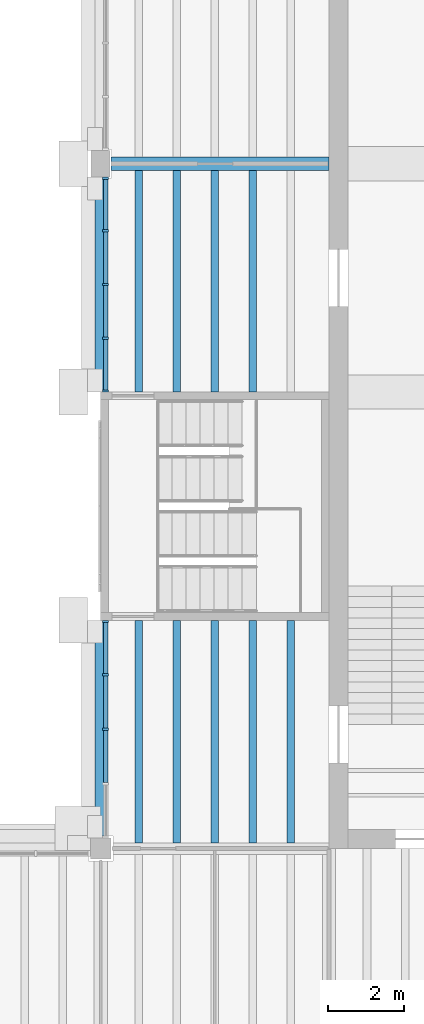
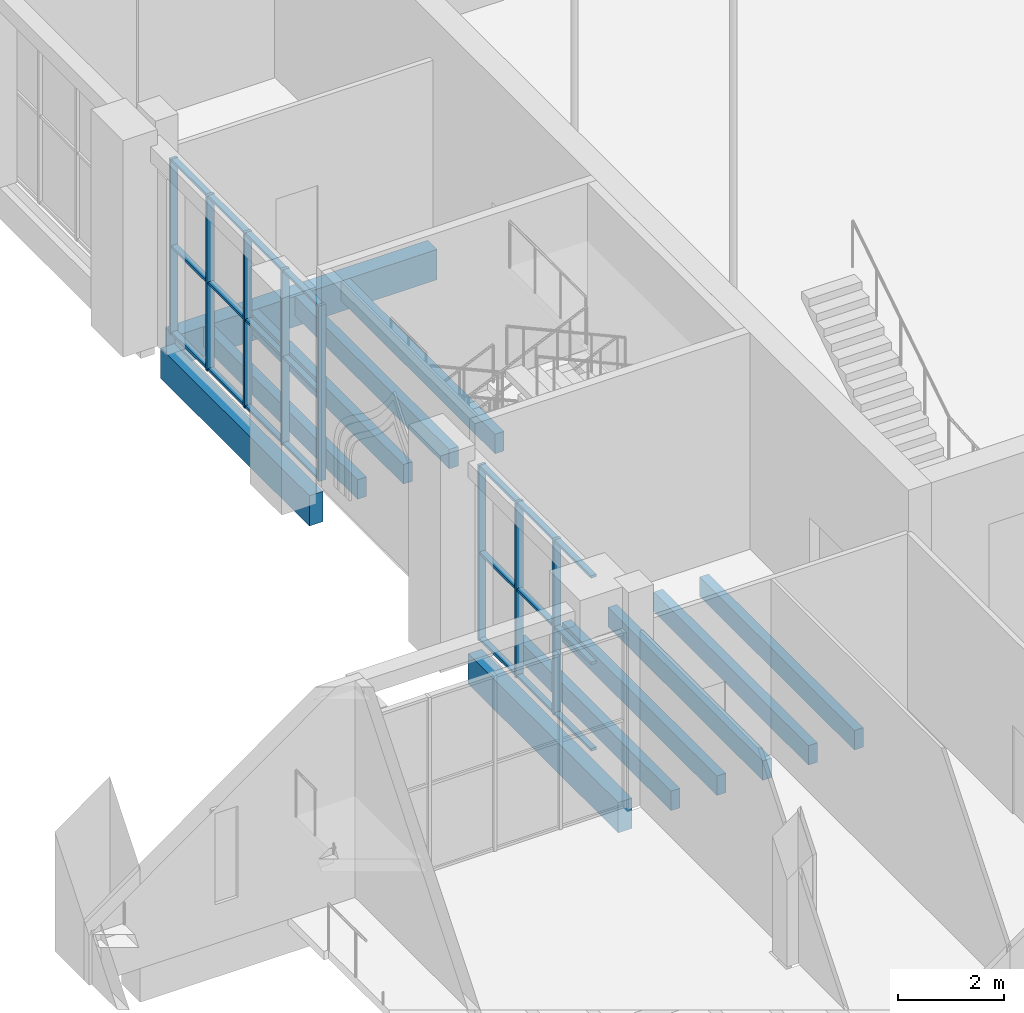
# One storey, part 7 of 80: 29 members, 12 beams, 2 elements without a shape of their own.
"""IFC4 building model written with IfcOpenShell, lengths in metres."""

from ifc_helpers import new_model, si_unit, direction, frame, origin, origin_2d, place, context, subcontext, project, spatial, rectangle, extrude, material, material_profile, profile_set, type_object, element, aggregate, save


model = new_model("IFC4")

# Units and contexts
model_context = context("Model", 3, precision=1e-05, world=origin(), true_north=direction((0.0, 1.0)))
body_context = subcontext(model_context, "Body", "Model", "MODEL_VIEW")
ifc_project = project(units=[si_unit("LENGTHUNIT", "METRE"), si_unit("AREAUNIT", "SQUARE_METRE"), si_unit("VOLUMEUNIT", "CUBIC_METRE"), si_unit("PLANEANGLEUNIT", "RADIAN"), si_unit("MASSUNIT", "GRAM", prefix="KILO")], contexts=[model_context])

# Site, building, storey
site_placement = place(None, origin())
site = spatial("IfcSite", under=ifc_project, at=site_placement, CompositionType="ELEMENT")
building_placement = place(site_placement, origin())
building = spatial("IfcBuilding", under=site, at=building_placement, Name="Saffron Lane Theatres", CompositionType="ELEMENT")
storey_placement = place(building_placement, frame((0.0, 0.0, 7.0)))
storey = spatial("IfcBuildingStorey", under=building, at=storey_placement, Name="L01", CompositionType="ELEMENT", Elevation=7.0)

# Curtain wall, members
ifc_material_1 = material(Name="Aluminium", Category="aluminium")
curtain_wall_type_1 = type_object("IfcCurtainWallType", Name="EX-CURTAIN WALL 5730x4050x160", PredefinedType="NOTDEFINED", material=ifc_material_1)
curtain_wall_1_placement = place(storey_placement, origin())
curtain_wall_1 = element("IfcCurtainWall", 1, at=curtain_wall_1_placement, inside=storey, type_object=curtain_wall_type_1, Name="Curtain wall L01 02", PredefinedType="NOTDEFINED")
ifc_material_2 = material(Name="Aluminium", Category="aluminium")
ifc_material_profile_1 = material_profile(ifc_material_2, rectangle(XDim=0.06005859375, YDim=0.159912109375, at=origin_2d()))
ifc_profile_set_1 = profile_set([ifc_material_profile_1], Name="Aluminium")
member_type_1 = type_object("IfcMemberType", Name="EX-CW MULLION 60x160", PredefinedType="MULLION", material=ifc_profile_set_1)
member_1_placement = place(storey_placement, frame((12.1298828125, 33.137451171875, 0.0), z_axis=(0.0, 0.0, 1.0), x_axis=(0.0, 1.0, 0.0)))
member_1 = element("IfcMember", 2, at=member_1_placement, type_object=member_type_1, Name="CW-01-02 mullion 3", PredefinedType="MULLION", context=body_context, shape_type="SweptSolid", body=[
    extrude(rectangle(XDim=0.06005859375, YDim=0.159912109375, at=origin_2d()), origin(), (0.0, 0.0, 1.0), 4.050048828125),
])
member_2_placement = place(storey_placement, frame((12.1298828125, 34.56884765625, 0.0), z_axis=(0.0, 0.0, 1.0), x_axis=(0.0, 1.0, 0.0)))
member_2 = element("IfcMember", 3, at=member_2_placement, type_object=member_type_1, Name="CW-01-02 mullion 4", PredefinedType="MULLION", context=body_context, shape_type="SweptSolid", body=[
    extrude(rectangle(XDim=0.06005859375, YDim=0.159912109375, at=origin_2d()), origin(), (0.0, 0.0, 1.0), 4.050048828125),
])
member_3_placement = place(storey_placement, frame((12.1298828125, 35.969970703125, 0.0), z_axis=(0.0, 0.0, 1.0), x_axis=(0.0, 1.0, 0.0)))
member_3 = element("IfcMember", 4, at=member_3_placement, type_object=member_type_1, Name="CW-01-02 mullion 5", PredefinedType="MULLION", context=body_context, shape_type="SweptSolid", body=[
    extrude(rectangle(XDim=0.06005859375, YDim=0.159912109375, at=origin_2d()), origin(), (0.0, 0.0, 1.0), 4.050048828125),
])

ifc_material_3 = material(Name="Aluminium", Category="aluminium")
curtain_wall_type_2 = type_object("IfcCurtainWallType", Name="EX-CURTAIN WALL 5650x4050x160", PredefinedType="NOTDEFINED", material=ifc_material_3)
curtain_wall_2_placement = place(storey_placement, origin())
curtain_wall_2 = element("IfcCurtainWall", 5, at=curtain_wall_2_placement, inside=storey, type_object=curtain_wall_type_2, Name="Curtain wall L01 03", PredefinedType="NOTDEFINED")
member_4_placement = place(storey_placement, frame((12.1298828125, 42.030029296875, 0.0), z_axis=(0.0, 0.0, 1.0), x_axis=(0.0, 1.0, 0.0)))
member_4 = element("IfcMember", 6, at=member_4_placement, type_object=member_type_1, Name="CW-01-03 mullion 1", PredefinedType="MULLION", context=body_context, shape_type="SweptSolid", body=[
    extrude(rectangle(XDim=0.06005859375, YDim=0.159912109375, at=origin_2d()), origin(), (0.0, 0.0, 1.0), 4.050048828125),
])
member_5_placement = place(storey_placement, frame((12.1298828125, 43.41259765625, 0.0), z_axis=(0.0, 0.0, 1.0), x_axis=(0.0, 1.0, 0.0)))
member_5 = element("IfcMember", 7, at=member_5_placement, type_object=member_type_1, Name="CW-01-03 mullion 2", PredefinedType="MULLION", context=body_context, shape_type="SweptSolid", body=[
    extrude(rectangle(XDim=0.06005859375, YDim=0.159912109375, at=origin_2d()), origin(), (0.0, 0.0, 1.0), 4.050048828125),
])
member_6_placement = place(storey_placement, frame((12.1298828125, 44.824951171875, 0.0), z_axis=(0.0, 0.0, 1.0), x_axis=(0.0, 1.0, 0.0)))
member_6 = element("IfcMember", 8, at=member_6_placement, type_object=member_type_1, Name="CW-01-03 mullion 3", PredefinedType="MULLION", context=body_context, shape_type="SweptSolid", body=[
    extrude(rectangle(XDim=0.06005859375, YDim=0.159912109375, at=origin_2d()), origin(), (0.0, 0.0, 1.0), 4.050048828125),
])
member_7_placement = place(storey_placement, frame((12.1298828125, 46.237548828125, 0.0), z_axis=(0.0, 0.0, 1.0), x_axis=(0.0, 1.0, 0.0)))
member_7 = element("IfcMember", 9, at=member_7_placement, type_object=member_type_1, Name="CW-01-03 mullion 4", PredefinedType="MULLION", context=body_context, shape_type="SweptSolid", body=[
    extrude(rectangle(XDim=0.06005859375, YDim=0.159912109375, at=origin_2d()), origin(), (0.0, 0.0, 1.0), 4.050048828125),
])
member_8_placement = place(storey_placement, frame((12.1298828125, 47.619873046875, 0.0), z_axis=(0.0, 0.0, 1.0), x_axis=(0.0, 1.0, 0.0)))
member_8 = element("IfcMember", 10, at=member_8_placement, type_object=member_type_1, Name="CW-01-03 mullion 5", PredefinedType="MULLION", context=body_context, shape_type="SweptSolid", body=[
    extrude(rectangle(XDim=0.06005859375, YDim=0.159912109375, at=origin_2d()), origin(), (0.0, 0.0, 1.0), 4.050048828125),
])

# Member
ifc_material_4 = material(Name="Aluminium", Category="aluminium")
ifc_material_profile_2 = material_profile(ifc_material_4, rectangle(XDim=0.1201171875, YDim=0.06005859375, at=origin_2d()))
ifc_profile_set_2 = profile_set([ifc_material_profile_2], Name="Aluminium")
member_type_2 = type_object("IfcMemberType", Name="EX-CW TRANSOM 120x60", PredefinedType="USERDEFINED", material=ifc_profile_set_2)
member_9_placement = place(storey_placement, frame((12.1298828125, 31.736083984375, 0.030029296875), z_axis=(0.0, 1.0, 0.0), x_axis=(-1.0, 0.0, 0.0)))
member_9 = element("IfcMember", 11, at=member_9_placement, type_object=member_type_2, Name="CW-01-02 transom 2.1", ObjectType="TRANSOM", PredefinedType="USERDEFINED", context=body_context, shape_type="SweptSolid", body=[
    extrude(rectangle(XDim=0.1201171875, YDim=0.06005859375, at=origin_2d()), origin(), (0.0, 0.0, 1.0), 1.371337890625),
])

member_10_placement = place(storey_placement, frame((12.1298828125, 31.736083984375, 2.02490234375), z_axis=(0.0, 1.0, 0.0), x_axis=(-1.0, 0.0, 0.0)))
member_10 = element("IfcMember", 12, at=member_10_placement, type_object=member_type_2, Name="CW-01-02 transom 2.2", ObjectType="TRANSOM", PredefinedType="USERDEFINED", context=body_context, shape_type="SweptSolid", body=[
    extrude(rectangle(XDim=0.1201171875, YDim=0.06005859375, at=origin_2d()), origin(), (0.0, 0.0, 1.0), 1.371337890625),
])

member_11_placement = place(storey_placement, frame((12.1298828125, 31.736083984375, 4.02001953125), z_axis=(0.0, 1.0, 0.0), x_axis=(-1.0, 0.0, 0.0)))
member_11 = element("IfcMember", 13, at=member_11_placement, type_object=member_type_2, Name="CW-01-02 transom 2.3", ObjectType="TRANSOM", PredefinedType="USERDEFINED", context=body_context, shape_type="SweptSolid", body=[
    extrude(rectangle(XDim=0.1201171875, YDim=0.06005859375, at=origin_2d()), origin(), (0.0, 0.0, 1.0), 1.371337890625),
])

member_12_placement = place(storey_placement, frame((12.1298828125, 33.16748046875, 0.030029296875), z_axis=(0.0, 1.0, 0.0), x_axis=(-1.0, 0.0, 0.0)))
member_12 = element("IfcMember", 14, at=member_12_placement, type_object=member_type_2, Name="CW-01-02 transom 3.1", ObjectType="TRANSOM", PredefinedType="USERDEFINED", context=body_context, shape_type="SweptSolid", body=[
    extrude(rectangle(XDim=0.1201171875, YDim=0.06005859375, at=origin_2d()), origin(), (0.0, 0.0, 1.0), 1.371337890625),
])

member_13_placement = place(storey_placement, frame((12.1298828125, 33.16748046875, 2.02490234375), z_axis=(0.0, 1.0, 0.0), x_axis=(-1.0, 0.0, 0.0)))
member_13 = element("IfcMember", 15, at=member_13_placement, type_object=member_type_2, Name="CW-01-02 transom 3.2", ObjectType="TRANSOM", PredefinedType="USERDEFINED", context=body_context, shape_type="SweptSolid", body=[
    extrude(rectangle(XDim=0.1201171875, YDim=0.06005859375, at=origin_2d()), origin(), (0.0, 0.0, 1.0), 1.371337890625),
])

member_14_placement = place(storey_placement, frame((12.1298828125, 33.16748046875, 4.02001953125), z_axis=(0.0, 1.0, 0.0), x_axis=(-1.0, 0.0, 0.0)))
member_14 = element("IfcMember", 16, at=member_14_placement, type_object=member_type_2, Name="CW-01-02 transom 3.3", ObjectType="TRANSOM", PredefinedType="USERDEFINED", context=body_context, shape_type="SweptSolid", body=[
    extrude(rectangle(XDim=0.1201171875, YDim=0.06005859375, at=origin_2d()), origin(), (0.0, 0.0, 1.0), 1.371337890625),
])

member_15_placement = place(storey_placement, frame((12.1298828125, 34.5986328125, 0.030029296875), z_axis=(0.0, 1.0, 0.0), x_axis=(-1.0, 0.0, 0.0)))
member_15 = element("IfcMember", 17, at=member_15_placement, type_object=member_type_2, Name="CW-01-02 transom 4.1", ObjectType="TRANSOM", PredefinedType="USERDEFINED", context=body_context, shape_type="SweptSolid", body=[
    extrude(rectangle(XDim=0.1201171875, YDim=0.06005859375, at=origin_2d()), origin(), (0.0, 0.0, 1.0), 1.34130859375),
])

member_16_placement = place(storey_placement, frame((12.1298828125, 34.5986328125, 2.02490234375), z_axis=(0.0, 1.0, 0.0), x_axis=(-1.0, 0.0, 0.0)))
member_16 = element("IfcMember", 18, at=member_16_placement, type_object=member_type_2, Name="CW-01-02 transom 4.2", ObjectType="TRANSOM", PredefinedType="USERDEFINED", context=body_context, shape_type="SweptSolid", body=[
    extrude(rectangle(XDim=0.1201171875, YDim=0.06005859375, at=origin_2d()), origin(), (0.0, 0.0, 1.0), 1.34130859375),
])

member_17_placement = place(storey_placement, frame((12.1298828125, 34.5986328125, 4.02001953125), z_axis=(0.0, 1.0, 0.0), x_axis=(-1.0, 0.0, 0.0)))
member_17 = element("IfcMember", 19, at=member_17_placement, type_object=member_type_2, Name="CW-01-02 transom 4.3", ObjectType="TRANSOM", PredefinedType="USERDEFINED", context=body_context, shape_type="SweptSolid", body=[
    extrude(rectangle(XDim=0.1201171875, YDim=0.06005859375, at=origin_2d()), origin(), (0.0, 0.0, 1.0), 1.34130859375),
])

aggregate(curtain_wall_1, [member_1, member_2, member_3, member_9, member_10, member_11, member_12, member_13, member_14, member_15, member_16, member_17])

member_18_placement = place(storey_placement, frame((12.1298828125, 42.06005859375, 0.030029296875), z_axis=(0.0, 1.0, 0.0), x_axis=(-1.0, 0.0, 0.0)))
member_18 = element("IfcMember", 20, at=member_18_placement, type_object=member_type_2, Name="CW-01-03 transom 1.1", ObjectType="TRANSOM", PredefinedType="USERDEFINED", context=body_context, shape_type="SweptSolid", body=[
    extrude(rectangle(XDim=0.1201171875, YDim=0.06005859375, at=origin_2d()), origin(), (0.0, 0.0, 1.0), 1.322509765625),
])

member_19_placement = place(storey_placement, frame((12.1298828125, 42.06005859375, 2.02490234375), z_axis=(0.0, 1.0, 0.0), x_axis=(-1.0, 0.0, 0.0)))
member_19 = element("IfcMember", 21, at=member_19_placement, type_object=member_type_2, Name="CW-01-03 transom 1.2", ObjectType="TRANSOM", PredefinedType="USERDEFINED", context=body_context, shape_type="SweptSolid", body=[
    extrude(rectangle(XDim=0.1201171875, YDim=0.06005859375, at=origin_2d()), origin(), (0.0, 0.0, 1.0), 1.322509765625),
])

member_20_placement = place(storey_placement, frame((12.1298828125, 42.06005859375, 4.02001953125), z_axis=(0.0, 1.0, 0.0), x_axis=(-1.0, 0.0, 0.0)))
member_20 = element("IfcMember", 22, at=member_20_placement, type_object=member_type_2, Name="CW-01-03 transom 1.3", ObjectType="TRANSOM", PredefinedType="USERDEFINED", context=body_context, shape_type="SweptSolid", body=[
    extrude(rectangle(XDim=0.1201171875, YDim=0.06005859375, at=origin_2d()), origin(), (0.0, 0.0, 1.0), 1.322509765625),
])

member_21_placement = place(storey_placement, frame((12.1298828125, 43.4423828125, 0.030029296875), z_axis=(0.0, 1.0, 0.0), x_axis=(-1.0, 0.0, 0.0)))
member_21 = element("IfcMember", 23, at=member_21_placement, type_object=member_type_2, Name="CW-01-03 transom 2.1", ObjectType="TRANSOM", PredefinedType="USERDEFINED", context=body_context, shape_type="SweptSolid", body=[
    extrude(rectangle(XDim=0.1201171875, YDim=0.06005859375, at=origin_2d()), origin(), (0.0, 0.0, 1.0), 1.3525390625),
])

member_22_placement = place(storey_placement, frame((12.1298828125, 43.4423828125, 2.02490234375), z_axis=(0.0, 1.0, 0.0), x_axis=(-1.0, 0.0, 0.0)))
member_22 = element("IfcMember", 24, at=member_22_placement, type_object=member_type_2, Name="CW-01-03 transom 2.2", ObjectType="TRANSOM", PredefinedType="USERDEFINED", context=body_context, shape_type="SweptSolid", body=[
    extrude(rectangle(XDim=0.1201171875, YDim=0.06005859375, at=origin_2d()), origin(), (0.0, 0.0, 1.0), 1.3525390625),
])

member_23_placement = place(storey_placement, frame((12.1298828125, 43.4423828125, 4.02001953125), z_axis=(0.0, 1.0, 0.0), x_axis=(-1.0, 0.0, 0.0)))
member_23 = element("IfcMember", 25, at=member_23_placement, type_object=member_type_2, Name="CW-01-03 transom 2.3", ObjectType="TRANSOM", PredefinedType="USERDEFINED", context=body_context, shape_type="SweptSolid", body=[
    extrude(rectangle(XDim=0.1201171875, YDim=0.06005859375, at=origin_2d()), origin(), (0.0, 0.0, 1.0), 1.3525390625),
])

member_24_placement = place(storey_placement, frame((12.1298828125, 44.85498046875, 0.030029296875), z_axis=(0.0, 1.0, 0.0), x_axis=(-1.0, 0.0, 0.0)))
member_24 = element("IfcMember", 26, at=member_24_placement, type_object=member_type_2, Name="CW-01-03 transom 3.1", ObjectType="TRANSOM", PredefinedType="USERDEFINED", context=body_context, shape_type="SweptSolid", body=[
    extrude(rectangle(XDim=0.1201171875, YDim=0.06005859375, at=origin_2d()), origin(), (0.0, 0.0, 1.0), 1.3525390625),
])

member_25_placement = place(storey_placement, frame((12.1298828125, 44.85498046875, 2.02490234375), z_axis=(0.0, 1.0, 0.0), x_axis=(-1.0, 0.0, 0.0)))
member_25 = element("IfcMember", 27, at=member_25_placement, type_object=member_type_2, Name="CW-01-03 transom 3.2", ObjectType="TRANSOM", PredefinedType="USERDEFINED", context=body_context, shape_type="SweptSolid", body=[
    extrude(rectangle(XDim=0.1201171875, YDim=0.06005859375, at=origin_2d()), origin(), (0.0, 0.0, 1.0), 1.3525390625),
])

member_26_placement = place(storey_placement, frame((12.1298828125, 44.85498046875, 4.02001953125), z_axis=(0.0, 1.0, 0.0), x_axis=(-1.0, 0.0, 0.0)))
member_26 = element("IfcMember", 28, at=member_26_placement, type_object=member_type_2, Name="CW-01-03 transom 3.3", ObjectType="TRANSOM", PredefinedType="USERDEFINED", context=body_context, shape_type="SweptSolid", body=[
    extrude(rectangle(XDim=0.1201171875, YDim=0.06005859375, at=origin_2d()), origin(), (0.0, 0.0, 1.0), 1.3525390625),
])

member_27_placement = place(storey_placement, frame((12.1298828125, 46.267333984375, 0.030029296875), z_axis=(0.0, 1.0, 0.0), x_axis=(-1.0, 0.0, 0.0)))
member_27 = element("IfcMember", 29, at=member_27_placement, type_object=member_type_2, Name="CW-01-03 transom 4.1", ObjectType="TRANSOM", PredefinedType="USERDEFINED", context=body_context, shape_type="SweptSolid", body=[
    extrude(rectangle(XDim=0.1201171875, YDim=0.06005859375, at=origin_2d()), origin(), (0.0, 0.0, 1.0), 1.322509765625),
])

member_28_placement = place(storey_placement, frame((12.1298828125, 46.267333984375, 2.02490234375), z_axis=(0.0, 1.0, 0.0), x_axis=(-1.0, 0.0, 0.0)))
member_28 = element("IfcMember", 30, at=member_28_placement, type_object=member_type_2, Name="CW-01-03 transom 4.2", ObjectType="TRANSOM", PredefinedType="USERDEFINED", context=body_context, shape_type="SweptSolid", body=[
    extrude(rectangle(XDim=0.1201171875, YDim=0.06005859375, at=origin_2d()), origin(), (0.0, 0.0, 1.0), 1.322509765625),
])

member_29_placement = place(storey_placement, frame((12.1298828125, 46.267333984375, 4.02001953125), z_axis=(0.0, 1.0, 0.0), x_axis=(-1.0, 0.0, 0.0)))
member_29 = element("IfcMember", 31, at=member_29_placement, type_object=member_type_2, Name="CW-01-03 transom 4.3", ObjectType="TRANSOM", PredefinedType="USERDEFINED", context=body_context, shape_type="SweptSolid", body=[
    extrude(rectangle(XDim=0.1201171875, YDim=0.06005859375, at=origin_2d()), origin(), (0.0, 0.0, 1.0), 1.322509765625),
])

aggregate(curtain_wall_2, [member_4, member_5, member_6, member_7, member_8, member_18, member_19, member_20, member_21, member_22, member_23, member_24, member_25, member_26, member_27, member_28, member_29])

# Beams
ifc_material_5 = material(Name="Concrete N40 (40 MPa)", Category="concrete")
ifc_material_profile_3 = material_profile(ifc_material_5, rectangle(XDim=0.300048828125, YDim=0.699951171875, at=origin_2d()))
ifc_profile_set_3 = profile_set([ifc_material_profile_3], Name="Concrete N40 (40 MPa)")
beam_type_1 = type_object("IfcBeamType", Name="RC-BEAM 300x700", PredefinedType="BEAM", material=ifc_profile_set_3)
beam_1_placement = place(storey_placement, frame((12.0, 30.324951171875, -0.60009765625), z_axis=(0.0, 1.0, 0.0), x_axis=(-1.0, 0.0, 0.0)))
element("IfcBeam", 32, at=beam_1_placement, inside=storey, type_object=beam_type_1, Name="beam-L01-y120-303", PredefinedType="BEAM", context=body_context, shape_type="SweptSolid", body=[
    extrude(rectangle(XDim=0.300048828125, YDim=0.699951171875, at=origin_2d()), origin(), (0.0, 0.0, 1.0), 5.675048828125),
])
beam_2_placement = place(storey_placement, frame((12.0, 42.0, -0.60009765625), z_axis=(0.0, 1.0, 0.0), x_axis=(-1.0, 0.0, 0.0)))
element("IfcBeam", 33, at=beam_2_placement, inside=storey, type_object=beam_type_1, Name="beam-L01-y120-420", PredefinedType="BEAM", context=body_context, shape_type="SweptSolid", body=[
    extrude(rectangle(XDim=0.300048828125, YDim=0.699951171875, at=origin_2d()), origin(), (0.0, 0.0, 1.0), 5.625),
])
ifc_material_6 = material(Name="Concrete N40 (40 MPa)", Category="concrete")
ifc_material_profile_4 = material_profile(ifc_material_6, rectangle(XDim=0.35009765625, YDim=0.699951171875, at=origin_2d()))
ifc_profile_set_4 = profile_set([ifc_material_profile_4], Name="Concrete N40 (40 MPa)")
beam_type_2 = type_object("IfcBeamType", Name="RC-BEAM 350x700", PredefinedType="BEAM", material=ifc_profile_set_4)
beam_3_placement = place(storey_placement, frame((12.27490234375, 48.0, -0.60009765625), z_axis=(1.0, 0.0, 0.0), x_axis=(0.0, 1.0, 0.0)))
element("IfcBeam", 34, at=beam_3_placement, inside=storey, type_object=beam_type_2, Name="beam-L01-x480-123", PredefinedType="BEAM", context=body_context, shape_type="SweptSolid", body=[
    extrude(rectangle(XDim=0.35009765625, YDim=0.699951171875, at=origin_2d()), origin(), (0.0, 0.0, 1.0), 5.72509765625),
])
ifc_material_7 = material(Name="Concrete N40 (40 MPa)", Category="concrete")
ifc_material_profile_5 = material_profile(ifc_material_7, rectangle(XDim=0.199951171875, YDim=0.449951171875, at=origin_2d()))
ifc_profile_set_5 = profile_set([ifc_material_profile_5], Name="Concrete N40 (40 MPa)")
beam_type_3 = type_object("IfcBeamType", Name="RC-JOIST 200x450", PredefinedType="JOIST", material=ifc_profile_set_5)
for number, where, z_axis, x_axis, name in (
    (35, (13.0, 30.14990234375, -0.47509765625), (0.0, 1.0, 0.0), (-1.0, 0.0, 0.0), "joist-L01-y1300-302"),
    (36, (14.0, 30.14990234375, -0.47509765625), (0.0, 1.0, 0.0), (-1.0, 0.0, 0.0), "joist-L01-y1400-302"),
    (37, (15.0, 30.14990234375, -0.47509765625), (0.0, 1.0, 0.0), (-1.0, 0.0, 0.0), "joist-L01-y1500-302"),
    (38, (16.0, 30.14990234375, -0.47509765625), (0.0, 1.0, 0.0), (-1.0, 0.0, 0.0), "joist-L01-y1600-302"),
    (39, (17.0, 30.14990234375, -0.47509765625), (0.0, 1.0, 0.0), (-1.0, 0.0, 0.0), "joist-L01-y1700-302"),
):
    element("IfcBeam", number, at=place(storey_placement, frame(where, z_axis=z_axis, x_axis=x_axis)), inside=storey, type_object=beam_type_3, Name=name, PredefinedType="JOIST", context=body_context, shape_type="SweptSolid", body=[
        extrude(rectangle(XDim=0.199951171875, YDim=0.449951171875, at=origin_2d()), origin(), (0.0, 0.0, 1.0), 5.85009765625),
    ])
for number, where, z_axis, x_axis, name in (
    (40, (13.0, 42.0, -0.47509765625), (0.0, 1.0, 0.0), (-1.0, 0.0, 0.0), "joist-L01-y1300-420"),
    (41, (14.0, 42.0, -0.47509765625), (0.0, 1.0, 0.0), (-1.0, 0.0, 0.0), "joist-L01-y1400-420"),
    (42, (15.0, 42.0, -0.47509765625), (0.0, 1.0, 0.0), (-1.0, 0.0, 0.0), "joist-L01-y1500-420"),
    (43, (16.0, 42.0, -0.47509765625), (0.0, 1.0, 0.0), (-1.0, 0.0, 0.0), "joist-L01-y1600-420"),
):
    element("IfcBeam", number, at=place(storey_placement, frame(where, z_axis=z_axis, x_axis=x_axis)), inside=storey, type_object=beam_type_3, Name=name, PredefinedType="JOIST", context=body_context, shape_type="SweptSolid", body=[
        extrude(rectangle(XDim=0.199951171875, YDim=0.449951171875, at=origin_2d()), origin(), (0.0, 0.0, 1.0), 5.824951171875),
    ])

save(model, "model.ifc")
